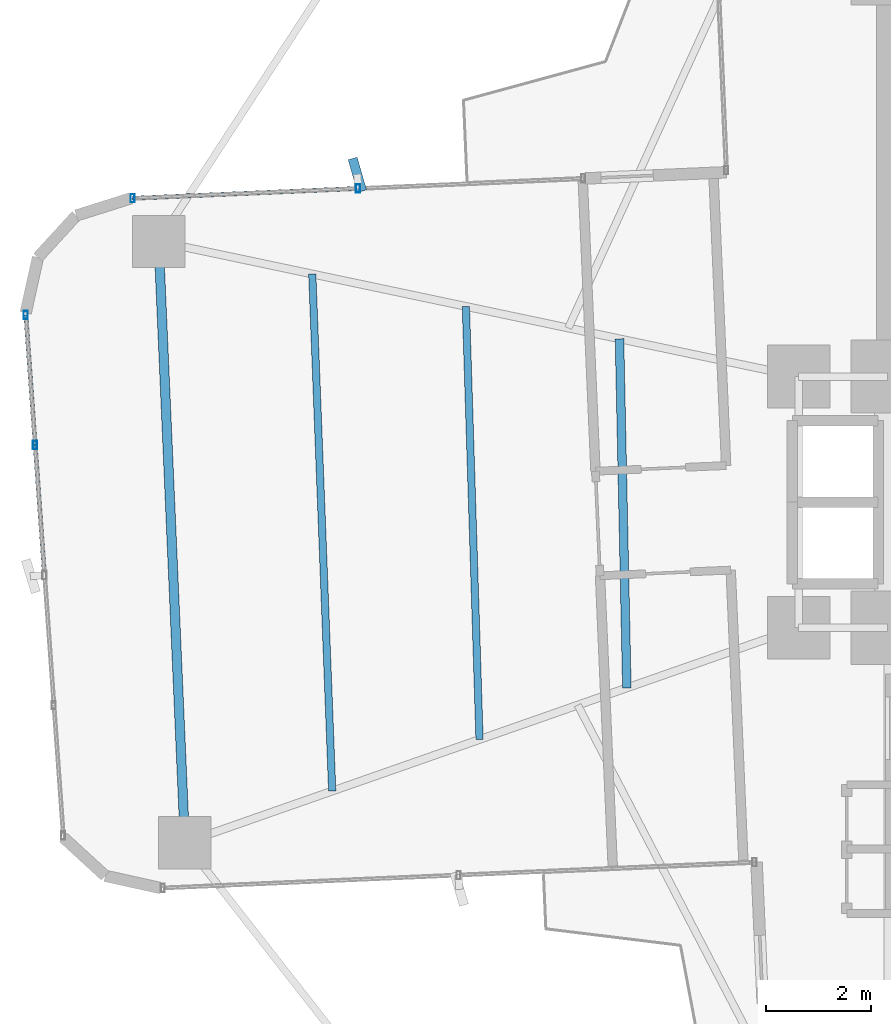
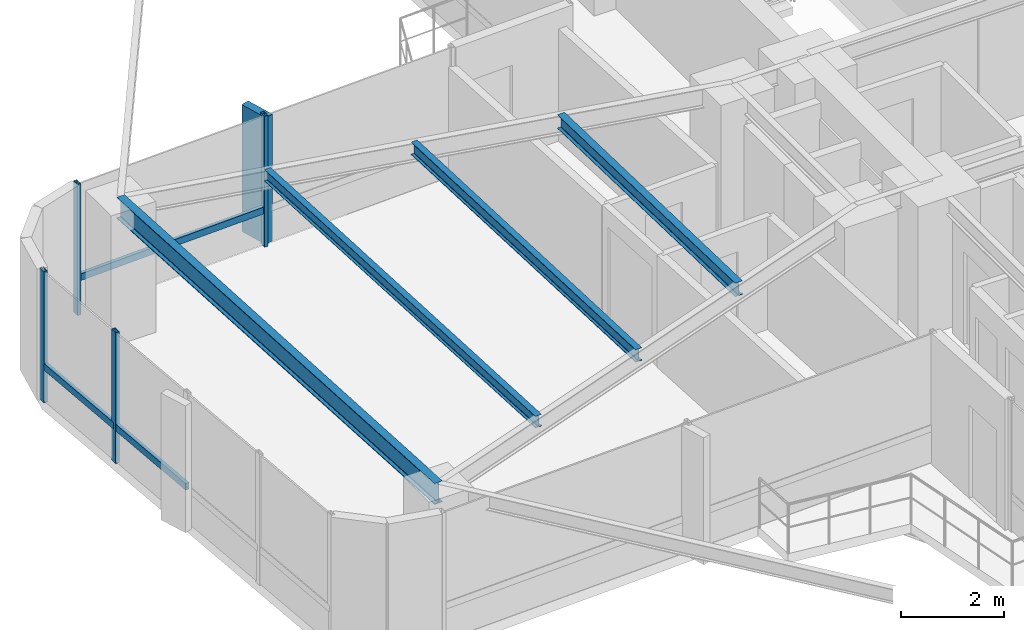
# One storey, part 9 of 26: 8 members, 4 beams, 2 elements without a shape of their own.
"""IFC4 building model written with IfcOpenShell, lengths in metres."""

from ifc_helpers import new_model, si_unit, direction, frame, origin, origin_2d, place, context, subcontext, project, spatial, rectangle, hollow_rectangle, i_section, extrude, source, transform, mapped, material, material_profile, profile_set, type_object, element, aggregate, save


model = new_model("IFC4")

# Units and contexts
model_context = context("Model", 3, precision=1e-05, world=origin(), true_north=direction((0.0, 1.0)))
body_context = subcontext(model_context, "Body", "Model", "MODEL_VIEW")
ifc_project = project(units=[si_unit("LENGTHUNIT", "METRE"), si_unit("AREAUNIT", "SQUARE_METRE"), si_unit("VOLUMEUNIT", "CUBIC_METRE"), si_unit("PLANEANGLEUNIT", "RADIAN"), si_unit("MASSUNIT", "GRAM", prefix="KILO")], contexts=[model_context])

# Site, building, storey
site_placement = place(None, origin())
site = spatial("IfcSite", under=ifc_project, at=site_placement, CompositionType="ELEMENT")
building_placement = place(site_placement, origin())
building = spatial("IfcBuilding", under=site, at=building_placement, Name="Sahyath Konkavel Grand Hotel", CompositionType="ELEMENT")
storey_placement = place(building_placement, frame((0.0, 0.0, 93.550048828125)))
storey = spatial("IfcBuildingStorey", under=building, at=storey_placement, Name="L25", CompositionType="ELEMENT", Elevation=93.550048828125)

# Beams
ifc_material_1 = material(Name="Steel E350", Category="steel")
ifc_material_profile_1 = material_profile(ifc_material_1, i_section(OverallWidth=0.179931640625, OverallDepth=0.5, WebThickness=0.01025390625, FlangeThickness=0.01708984375, FilletRadius=0.01708984375, at=origin_2d()), Name="ISMB 500")
ifc_profile_set_1 = profile_set([ifc_material_profile_1], Name="Steel E350")
beam_type_1 = type_object("IfcBeamType", Name="BM-ISMB500", PredefinedType="BEAM", material=ifc_profile_set_1)
shared_shape_1 = source(origin(), body_context, "Body", "SweptSolid", [
    extrude(i_section(OverallWidth=0.179931640625, OverallDepth=0.5, WebThickness=0.01025390625, FlangeThickness=0.01708984375, FilletRadius=0.01708984375, at=origin_2d()), origin(), (0.0, 0.0, 1.0), 11.5),
])
beam_1_placement = place(storey_placement, frame((-17.734130859375, 4.981201171875, 2.85986328125), z_axis=(0.043627008892, -0.99904788879, 0.0), x_axis=(0.99904788879, 0.043627008892, 0.0)))
element("IfcBeam", 1, at=beam_1_placement, inside=storey, type_object=beam_type_1, Name="L25 Wing Tip Edge Beam W", PredefinedType="BEAM", context=body_context, shape_type="MappedRepresentation", body=[
    mapped(shared_shape_1, transform((0.0, 0.0, 0.0), scale=1.0)),
])
ifc_material_profile_2 = material_profile(ifc_material_1, i_section(OverallWidth=0.1650390625, OverallDepth=0.324951171875, WebThickness=0.007080078125, FlangeThickness=0.009765625, FilletRadius=0.014892578125, at=origin_2d()), Name="ISLB 325")
ifc_profile_set_2 = profile_set([ifc_material_profile_2], Name="Steel E350")
beam_type_2 = type_object("IfcBeamType", Name="BM-ISLB325", PredefinedType="BEAM", material=ifc_profile_set_2)
shared_shape_2 = source(origin(), body_context, "Body", "SweptSolid", [
    extrude(i_section(OverallWidth=0.1650390625, OverallDepth=0.324951171875, WebThickness=0.007080078125, FlangeThickness=0.009765625, FilletRadius=0.014892578125, at=origin_2d()), origin(), (0.0, 0.0, 1.0), 6.674560546875),
])
beam_2_placement = place(storey_placement, frame((-8.925537109375, 3.122802734375, 2.947509765625), z_axis=(0.021032188543, -0.999778799058, 0.0), x_axis=(0.999778799058, 0.021032188543, 0.0)))
element("IfcBeam", 2, at=beam_2_placement, inside=storey, type_object=beam_type_2, Name="L25 Secondary Floor Beam W-1", PredefinedType="BEAM", context=body_context, shape_type="MappedRepresentation", body=[
    mapped(shared_shape_2, transform((0.0, 0.0, 0.0), scale=1.0)),
])
ifc_material_profile_3 = material_profile(ifc_material_1, i_section(OverallWidth=0.139892578125, OverallDepth=0.300048828125, WebThickness=0.0078125, FlangeThickness=0.01318359375, FilletRadius=0.013916015625, at=origin_2d()), Name="ISMB 300")
ifc_profile_set_3 = profile_set([ifc_material_profile_3], Name="Steel E350")
beam_type_3 = type_object("IfcBeamType", Name="BM-ISMB300", PredefinedType="BEAM", material=ifc_profile_set_3)
shared_shape_3 = source(origin(), body_context, "Body", "SweptSolid", [
    extrude(i_section(OverallWidth=0.139892578125, OverallDepth=0.300048828125, WebThickness=0.0078125, FlangeThickness=0.01318359375, FilletRadius=0.013916015625, at=origin_2d()), origin(), (0.0, 0.0, 1.0), 8.282470703125),
])
beam_3_placement = place(storey_placement, frame((-11.86181640625, 3.7421875, 2.9599609375), z_axis=(0.031510827707, -0.999503410568, 0.0), x_axis=(0.999503410568, 0.031510827707, 0.0)))
element("IfcBeam", 3, at=beam_3_placement, inside=storey, type_object=beam_type_3, Name="L25 Secondary Floor Beam W-2", PredefinedType="BEAM", context=body_context, shape_type="MappedRepresentation", body=[
    mapped(shared_shape_3, transform((0.0, 0.0, 0.0), scale=1.0)),
])
ifc_material_profile_4 = material_profile(ifc_material_1, i_section(OverallWidth=0.139892578125, OverallDepth=0.27490234375, WebThickness=0.00634765625, FlangeThickness=0.0087890625, FilletRadius=0.012939453125, at=origin_2d()), Name="ISLB 275")
ifc_profile_set_4 = profile_set([ifc_material_profile_4], Name="Steel E350")
beam_type_4 = type_object("IfcBeamType", Name="BM-ISLB275", PredefinedType="BEAM", material=ifc_profile_set_4)
shared_shape_4 = source(origin(), body_context, "Body", "SweptSolid", [
    extrude(i_section(OverallWidth=0.139892578125, OverallDepth=0.27490234375, WebThickness=0.00634765625, FlangeThickness=0.0087890625, FilletRadius=0.012939453125, at=origin_2d()), origin(), (0.0, 0.0, 1.0), 9.89111328125),
])
beam_4_placement = place(storey_placement, frame((-14.798095703125, 4.36181640625, 2.972412109375), z_axis=(0.03855445741, -0.999256500511, 0.0), x_axis=(0.999256500511, 0.03855445741, 0.0)))
element("IfcBeam", 4, at=beam_4_placement, inside=storey, type_object=beam_type_4, Name="L25 Secondary Floor Beam W-3", PredefinedType="BEAM", context=body_context, shape_type="MappedRepresentation", body=[
    mapped(shared_shape_4, transform((0.0, 0.0, 0.0), scale=1.0)),
])

# Curtain wall, members
ifc_material_2 = material(Name="Anodised Bronze Aluminium & Low-E Glazing", Category="aluminium")
curtain_wall_type = type_object("IfcCurtainWallType", Name="CW-ZONE2", PredefinedType="NOTDEFINED", material=ifc_material_2)
curtain_wall_1_placement = place(storey_placement, origin())
curtain_wall_1 = element("IfcCurtainWall", 5, at=curtain_wall_1_placement, inside=storey, type_object=curtain_wall_type, Name="L25 Unitised Curtain Wall F16", PredefinedType="NOTDEFINED")
ifc_material_3 = material(Name="Anodised Bronze Aluminium", Category="aluminium")
ifc_material_profile_5 = material_profile(ifc_material_3, hollow_rectangle(XDim=0.080078125, YDim=0.159912109375, WallThickness=0.006103515625, at=origin_2d()), Name="RHS 160x80x6")
ifc_profile_set_5 = profile_set([ifc_material_profile_5], Name="Anodised Bronze Aluminium")
member_type_1 = type_object("IfcMemberType", Name="CW-MUL-160", PredefinedType="MULLION", material=ifc_profile_set_5)
shared_shape_5 = source(origin(), body_context, "Body", "SweptSolid", [
    extrude(hollow_rectangle(XDim=0.080078125, YDim=0.159912109375, WallThickness=0.006103515625, at=origin_2d()), origin(), (0.0, 0.0, 1.0), 3.10986328125),
])
member_1_placement = place(storey_placement, frame((-13.9248046875, 5.998291015625, 0.0), z_axis=(0.0, 0.0, 1.0), x_axis=(1.0, 0.0, 0.0)))
member_1 = element("IfcMember", 6, at=member_1_placement, type_object=member_type_1, Name="L25 Curtain Wall Mullion F16-1", PredefinedType="MULLION", context=body_context, shape_type="MappedRepresentation", body=[
    mapped(shared_shape_5, transform((0.0, 0.0, 0.0), scale=1.0)),
])
member_2_placement = place(storey_placement, frame((-18.230712890625, 5.810302734375, 0.0), z_axis=(0.0, 0.0, 1.0), x_axis=(1.0, 0.0, 0.0)))
member_2 = element("IfcMember", 7, at=member_2_placement, type_object=member_type_1, Name="L25 Curtain Wall Mullion F16-2", PredefinedType="MULLION", context=body_context, shape_type="MappedRepresentation", body=[
    mapped(shared_shape_5, transform((0.0, 0.0, 0.0), scale=1.0)),
])

curtain_wall_2_placement = place(storey_placement, origin())
curtain_wall_2 = element("IfcCurtainWall", 8, at=curtain_wall_2_placement, inside=storey, type_object=curtain_wall_type, Name="L25 Unitised Curtain Wall F20", PredefinedType="NOTDEFINED")
member_3_placement = place(storey_placement, frame((-20.2744140625, 3.5791015625, 0.0), z_axis=(0.0, 0.0, 1.0), x_axis=(1.0, 0.0, 0.0)))
member_3 = element("IfcMember", 9, at=member_3_placement, type_object=member_type_1, Name="L25 Curtain Wall Mullion F20-0", PredefinedType="MULLION", context=body_context, shape_type="MappedRepresentation", body=[
    mapped(shared_shape_5, transform((0.0, 0.0, 0.0), scale=1.0)),
])
member_4_placement = place(storey_placement, frame((-20.095947265625, 1.092041015625, 0.0), z_axis=(0.0, 0.0, 1.0), x_axis=(1.0, 0.0, 0.0)))
member_4 = element("IfcMember", 10, at=member_4_placement, type_object=member_type_1, Name="L25 Curtain Wall Mullion F20-1", PredefinedType="MULLION", context=body_context, shape_type="MappedRepresentation", body=[
    mapped(shared_shape_5, transform((0.0, 0.0, 0.0), scale=1.0)),
])

# Member
ifc_material_4 = material(Name="Warm Buff Sandstone Cladding on Concrete C50/60", Category="masonry")
ifc_material_profile_6 = material_profile(ifc_material_4, rectangle(XDim=0.179931640625, YDim=0.64990234375, at=origin_2d()), Name="FIN 180x650")
ifc_profile_set_6 = profile_set([ifc_material_profile_6], Name="Warm Buff Sandstone Cladding on Concrete C50/60")
member_type_2 = type_object("IfcMemberType", Name="FIN-SANDSTONE-650", PredefinedType="MULLION", material=ifc_profile_set_6)
shared_shape_6 = source(origin(), body_context, "Body", "SweptSolid", [
    extrude(rectangle(XDim=0.179931640625, YDim=0.64990234375, at=origin_2d()), origin(), (0.0, 0.0, 1.0), 3.010009765625),
])
member_5_placement = place(storey_placement, frame((-13.936279296875, 6.258056640625, 0.050048828125), z_axis=(0.0, 0.0, 1.0), x_axis=(0.961069030524, 0.276308375854, 0.0)))
member_5 = element("IfcMember", 11, at=member_5_placement, type_object=member_type_2, Name="L25 Sandstone Vertical Solar Fin FIN F16-1", PredefinedType="MULLION", context=body_context, shape_type="MappedRepresentation", body=[
    mapped(shared_shape_6, transform((0.0, 0.0, 0.0), scale=1.0)),
])

ifc_material_profile_7 = material_profile(ifc_material_3, hollow_rectangle(XDim=0.080078125, YDim=0.159912109375, WallThickness=0.006103515625, at=origin_2d()), Name="RHS 160x80x6")
ifc_profile_set_7 = profile_set([ifc_material_profile_7], Name="Anodised Bronze Aluminium")
member_type_3 = type_object("IfcMemberType", Name="CW-TRN-160", PredefinedType="USERDEFINED", material=ifc_profile_set_7)
shared_shape_7 = source(origin(), body_context, "Body", "SweptSolid", [
    extrude(hollow_rectangle(XDim=0.080078125, YDim=0.159912109375, WallThickness=0.006103515625, at=origin_2d()), origin(), (0.0, 0.0, 1.0), 4.31005859375),
])
member_6_placement = place(storey_placement, frame((-13.9248046875, 5.998291015625, 0.849853515625), z_axis=(-0.999048340188, -0.043616670746, 0.0), x_axis=(0.043616670746, -0.999048340188, 0.0)))
member_6 = element("IfcMember", 12, at=member_6_placement, type_object=member_type_3, Name="L25 Curtain Wall Transom F16-1-spandrel", ObjectType="TRANSOM", PredefinedType="USERDEFINED", context=body_context, shape_type="MappedRepresentation", body=[
    mapped(shared_shape_7, transform((0.0, 0.0, 0.0), scale=1.0)),
])

aggregate(curtain_wall_1, [member_1, member_5, member_2, member_6])

shared_shape_8 = source(origin(), body_context, "Body", "SweptSolid", [
    extrude(hollow_rectangle(XDim=0.080078125, YDim=0.159912109375, WallThickness=0.006103515625, at=origin_2d()), origin(), (0.0, 0.0, 1.0), 2.493408203125),
])
member_7_placement = place(storey_placement, frame((-20.2744140625, 3.5791015625, 0.849853515625), z_axis=(0.071574084062, -0.997435286367, 0.0), x_axis=(0.997435286367, 0.071574084062, 0.0)))
member_7 = element("IfcMember", 13, at=member_7_placement, type_object=member_type_3, Name="L25 Curtain Wall Transom F20-0-spandrel", ObjectType="TRANSOM", PredefinedType="USERDEFINED", context=body_context, shape_type="MappedRepresentation", body=[
    mapped(shared_shape_8, transform((0.0, 0.0, 0.0), scale=1.0)),
])

member_8_placement = place(storey_placement, frame((-20.095947265625, 1.092041015625, 0.849853515625), z_axis=(0.071574084062, -0.997435286367, 0.0), x_axis=(0.997435286367, 0.071574084062, 0.0)))
member_8 = element("IfcMember", 14, at=member_8_placement, type_object=member_type_3, Name="L25 Curtain Wall Transom F20-1-spandrel", ObjectType="TRANSOM", PredefinedType="USERDEFINED", context=body_context, shape_type="MappedRepresentation", body=[
    mapped(shared_shape_8, transform((0.0, 0.0, 0.0), scale=1.0)),
])

aggregate(curtain_wall_2, [member_3, member_4, member_7, member_8])

save(model, "model.ifc")
